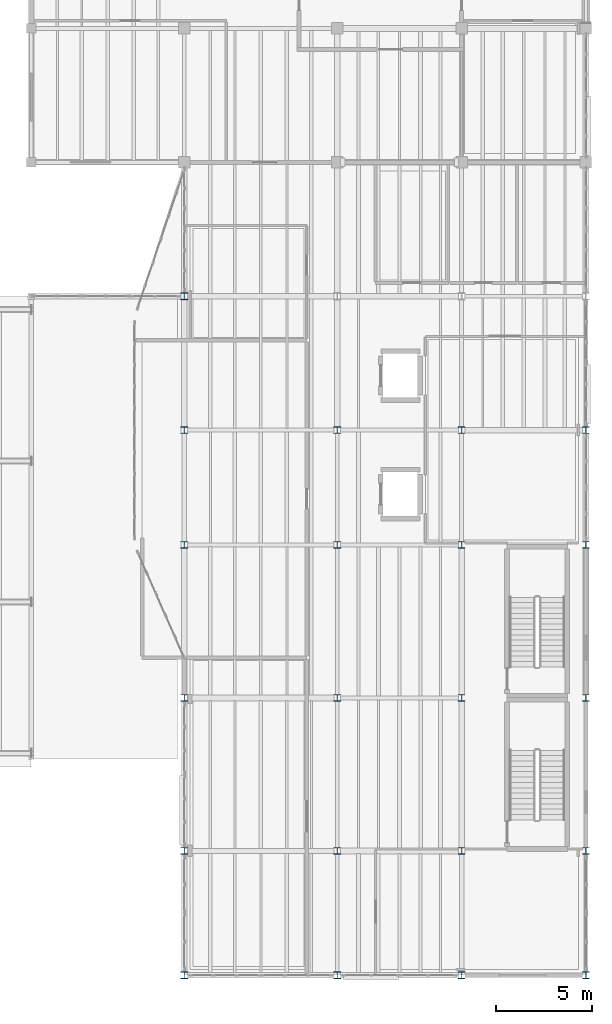
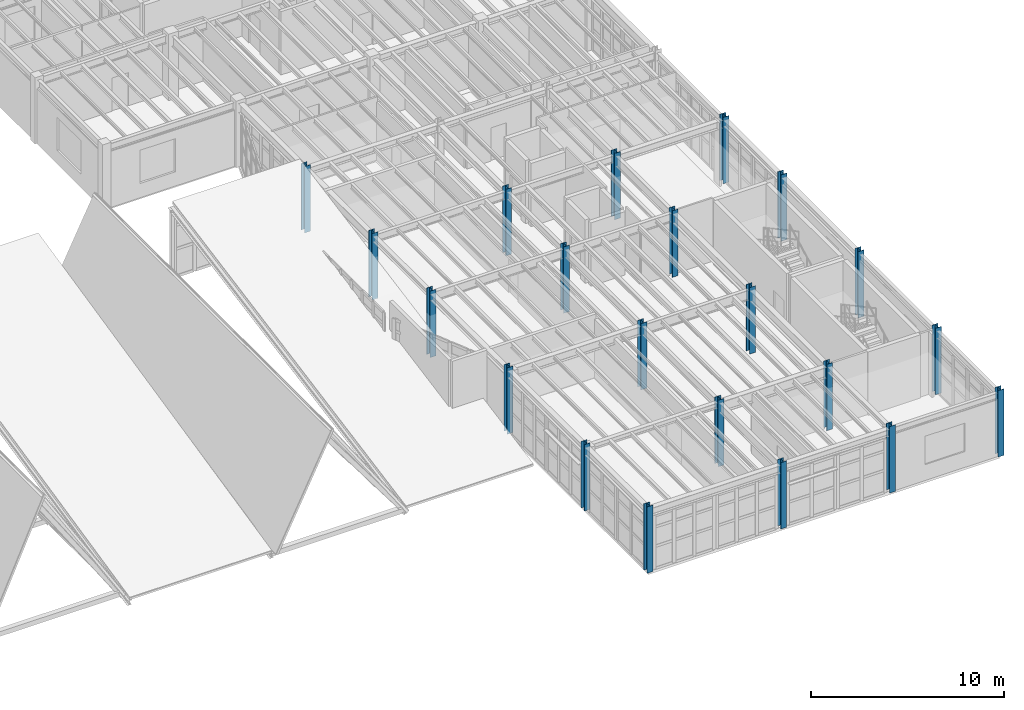
# One storey, part 3 of 77: 21 columns.
"""IFC4 building model written with IfcOpenShell, lengths in metres."""

from ifc_helpers import new_model, si_unit, direction, frame, origin, origin_2d, place, context, subcontext, project, spatial, i_section, extrude, material, material_profile, profile_set, type_object, element, save


model = new_model("IFC4")

# Units and contexts
model_context = context("Model", 3, precision=1e-05, world=origin(), true_north=direction((0.0, 1.0)))
body_context = subcontext(model_context, "Body", "Model", "MODEL_VIEW")
ifc_project = project(units=[si_unit("LENGTHUNIT", "METRE"), si_unit("AREAUNIT", "SQUARE_METRE"), si_unit("VOLUMEUNIT", "CUBIC_METRE"), si_unit("PLANEANGLEUNIT", "RADIAN"), si_unit("MASSUNIT", "GRAM", prefix="KILO"), si_unit("THERMODYNAMICTEMPERATUREUNIT", "KELVIN"), si_unit("POWERUNIT", "WATT")], contexts=[model_context])

# Site, building, storey
site_placement = place(None, origin())
site = spatial("IfcSite", under=ifc_project, at=site_placement, CompositionType="ELEMENT")
building_placement = place(site_placement, origin())
building = spatial("IfcBuilding", under=site, at=building_placement, Name="Zhenchuan Central Fire Station", CompositionType="ELEMENT")
storey_placement = place(building_placement, frame((0.0, 0.0, 10.050048828125)))
storey = spatial("IfcBuildingStorey", under=building, at=storey_placement, Name="L03", CompositionType="ELEMENT", Elevation=10.050048828125)

# Columns
ifc_material = material(Name="Steel Q355B", Category="steel")
ifc_material_profile_1 = material_profile(ifc_material, i_section(OverallWidth=0.35009765625, OverallDepth=0.35009765625, WebThickness=0.011962890625, FlangeThickness=0.01904296875, FilletRadius=0.02001953125, at=origin_2d()), Name="HW 350x350")
ifc_profile_set_1 = profile_set([ifc_material_profile_1], Name="Steel Q355B")
column_type_1 = type_object("IfcColumnType", Name="COL-HW350", PredefinedType="COLUMN", material=ifc_profile_set_1)
for number, where, z_axis, x_axis, name in (
    (1, (140.0, 0.0, 0.0), (0.0, 0.0, 1.0), (1.0, 0.0, 0.0), "L03 Column 025"),
    (2, (148.0, 0.0, 0.0), (0.0, 0.0, 1.0), (1.0, 0.0, 0.0), "L03 Column 034"),
    (3, (154.5, 0.0, 0.0), (0.0, 0.0, 1.0), (1.0, 0.0, 0.0), "L03 Column 043"),
    (4, (161.0, 0.0, 0.0), (0.0, 0.0, 1.0), (1.0, 0.0, 0.0), "L03 Column 051"),
    (5, (161.0, 6.5, 0.0), (0.0, 0.0, 1.0), (1.0, 0.0, 0.0), "L03 Column 052"),
    (6, (161.0, 14.5, 0.0), (0.0, 0.0, 1.0), (1.0, 0.0, 0.0), "L03 Column 053"),
    (7, (161.0, 22.5, 0.0), (0.0, 0.0, 1.0), (1.0, 0.0, 0.0), "L03 Column 054"),
    (8, (161.0, 28.5, 0.0), (0.0, 0.0, 1.0), (1.0, 0.0, 0.0), "L03 Column 055"),
):
    element("IfcColumn", number, at=place(storey_placement, frame(where, z_axis=z_axis, x_axis=x_axis)), inside=storey, type_object=column_type_1, Name=name, PredefinedType="COLUMN", context=body_context, shape_type="SweptSolid", body=[
        extrude(i_section(OverallWidth=0.35009765625, OverallDepth=0.35009765625, WebThickness=0.011962890625, FlangeThickness=0.01904296875, FilletRadius=0.02001953125, at=origin_2d()), origin(), (0.0, 0.0, 1.0), 4.199951171875),
    ])
ifc_material_profile_2 = material_profile(ifc_material, i_section(OverallWidth=0.35009765625, OverallDepth=0.35009765625, WebThickness=0.011962890625, FlangeThickness=0.01904296875, FilletRadius=0.02001953125, at=origin_2d()), Name="HW 350x350")
ifc_profile_set_2 = profile_set([ifc_material_profile_2], Name="Steel Q355B")
column_type_2 = type_object("IfcColumnType", Name="COL-HW350-INT", PredefinedType="COLUMN", material=ifc_profile_set_2)
for number, where, z_axis, x_axis, name in (
    (9, (140.0, 6.5, 0.0), (0.0, 0.0, 1.0), (1.0, 0.0, 0.0), "L03 Column 026"),
    (10, (140.0, 14.5, 0.0), (0.0, 0.0, 1.0), (1.0, 0.0, 0.0), "L03 Column 027"),
    (11, (140.0, 22.5, 0.0), (0.0, 0.0, 1.0), (1.0, 0.0, 0.0), "L03 Column 028"),
    (12, (140.0, 28.5, 0.0), (0.0, 0.0, 1.0), (1.0, 0.0, 0.0), "L03 Column 029"),
    (13, (140.0, 35.5, 0.0), (0.0, 0.0, 1.0), (1.0, 0.0, 0.0), "L03 Column 030"),
    (14, (148.0, 6.5, 0.0), (0.0, 0.0, 1.0), (1.0, 0.0, 0.0), "L03 Column 035"),
    (15, (148.0, 14.5, 0.0), (0.0, 0.0, 1.0), (1.0, 0.0, 0.0), "L03 Column 036"),
    (16, (148.0, 22.5, 0.0), (0.0, 0.0, 1.0), (1.0, 0.0, 0.0), "L03 Column 037"),
    (17, (148.0, 28.5, 0.0), (0.0, 0.0, 1.0), (1.0, 0.0, 0.0), "L03 Column 038"),
    (18, (154.5, 6.5, 0.0), (0.0, 0.0, 1.0), (1.0, 0.0, 0.0), "L03 Column 044"),
    (19, (154.5, 14.5, 0.0), (0.0, 0.0, 1.0), (1.0, 0.0, 0.0), "L03 Column 045"),
    (20, (154.5, 22.5, 0.0), (0.0, 0.0, 1.0), (1.0, 0.0, 0.0), "L03 Column 046"),
    (21, (154.5, 28.5, 0.0), (0.0, 0.0, 1.0), (1.0, 0.0, 0.0), "L03 Column 047"),
):
    element("IfcColumn", number, at=place(storey_placement, frame(where, z_axis=z_axis, x_axis=x_axis)), inside=storey, type_object=column_type_2, Name=name, PredefinedType="COLUMN", context=body_context, shape_type="SweptSolid", body=[
        extrude(i_section(OverallWidth=0.35009765625, OverallDepth=0.35009765625, WebThickness=0.011962890625, FlangeThickness=0.01904296875, FilletRadius=0.02001953125, at=origin_2d()), origin(), (0.0, 0.0, 1.0), 4.199951171875),
    ])

save(model, "model.ifc")
